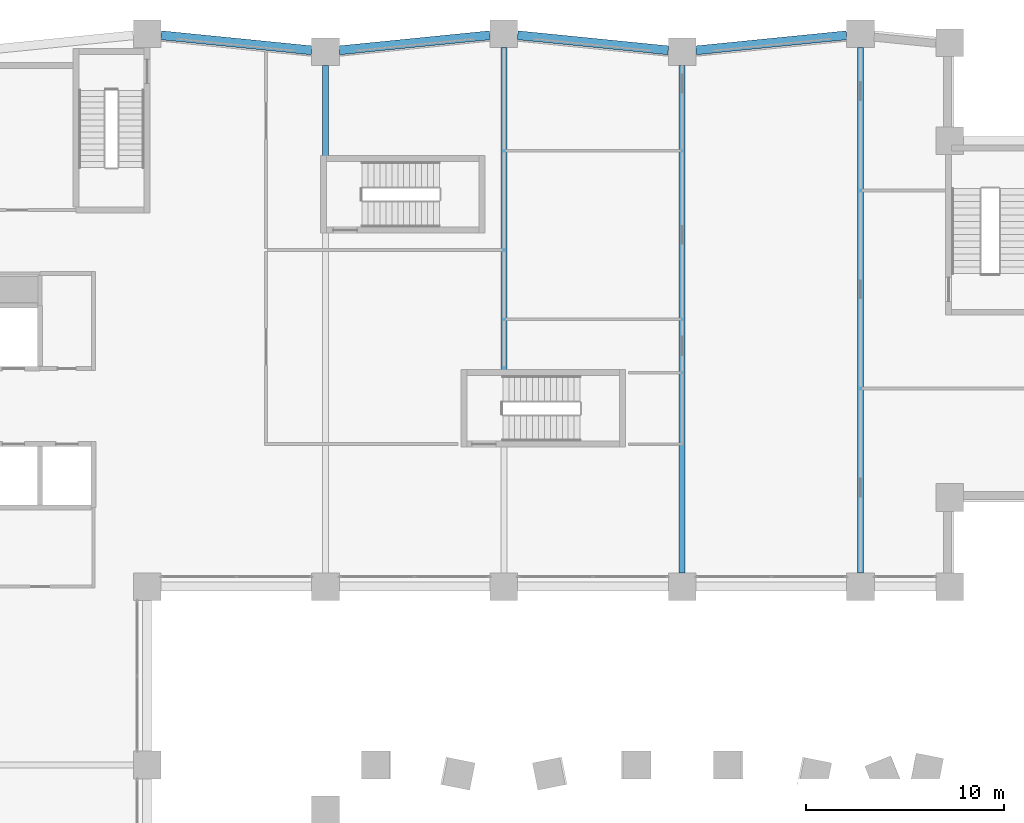
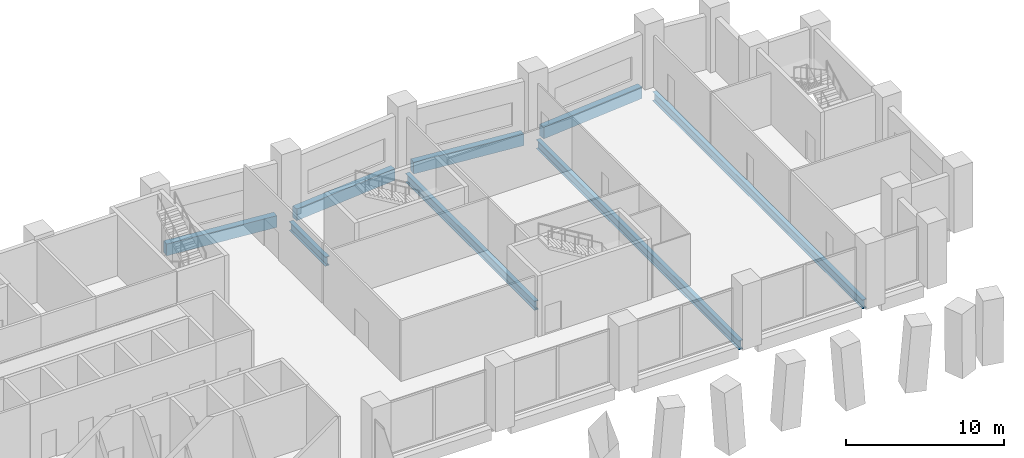
# One storey, part 7 of 17: 8 beams.
"""IFC4 building model written with IfcOpenShell, lengths in metres."""

from ifc_helpers import new_model, si_unit, direction, frame, origin, origin_2d, place, context, subcontext, project, spatial, rectangle, i_section, extrude, material, material_profile, profile_set, type_object, element, save


model = new_model("IFC4")

# Units and contexts
model_context = context("Model", 3, precision=1e-05, world=origin(), true_north=direction((0.0, 1.0)))
body_context = subcontext(model_context, "Body", "Model", "MODEL_VIEW")
ifc_project = project(units=[si_unit("LENGTHUNIT", "METRE"), si_unit("AREAUNIT", "SQUARE_METRE"), si_unit("VOLUMEUNIT", "CUBIC_METRE"), si_unit("PLANEANGLEUNIT", "RADIAN"), si_unit("MASSUNIT", "GRAM", prefix="KILO")], contexts=[model_context])

# Site, building, storey
site_placement = place(None, origin())
site = spatial("IfcSite", under=ifc_project, at=site_placement, CompositionType="ELEMENT")
building_placement = place(site_placement, origin())
building = spatial("IfcBuilding", under=site, at=building_placement, Name="Brondeck Convention Tower", CompositionType="ELEMENT")
storey_placement = place(building_placement, frame((0.0, 0.0, 14.5)))
storey = spatial("IfcBuildingStorey", under=building, at=storey_placement, Name="L02", CompositionType="ELEMENT", Elevation=14.5)

# Beams
ifc_material_1 = material(Name="Concrete C80/95", Category="concrete")
ifc_material_profile_1 = material_profile(ifc_material_1, rectangle(XDim=0.449951171875, YDim=0.89990234375, at=origin_2d()), Name="Edge beam 450x900 Concrete C80/95")
ifc_profile_set_1 = profile_set([ifc_material_profile_1], Name="Concrete C80/95")
beam_type_1 = type_object("IfcBeamType", Name="Edge beam 450x900 Concrete C80/95", PredefinedType="BEAM", material=ifc_profile_set_1)
for number, where, z_axis, x_axis, name in (
    (1, (62.300048828125, 63.830078125, -0.449951171875), (-0.99503719021, -0.099503719021, 0.0), (0.099503719021, -0.99503719021, 0.0), "STR-SP-L02-021"),
    (2, (53.300048828125, 63.070068359375, -0.449951171875), (-0.99503719021, 0.099503719021, 0.0), (-0.099503719021, -0.99503719021, 0.0), "STR-SP-L02-022"),
    (3, (44.300048828125, 63.830078125, -0.449951171875), (-0.99503719021, -0.099503719021, 0.0), (0.099503719021, -0.99503719021, 0.0), "STR-SP-L02-023"),
    (4, (35.300048828125, 63.070068359375, -0.449951171875), (-0.99503719021, 0.099503719021, 0.0), (-0.099503719021, -0.99503719021, 0.0), "STR-SP-L02-024"),
):
    element("IfcBeam", number, at=place(storey_placement, frame(where, z_axis=z_axis, x_axis=x_axis)), inside=storey, type_object=beam_type_1, Name=name, PredefinedType="BEAM", context=body_context, shape_type="SweptSolid", body=[
        extrude(rectangle(XDim=0.449951171875, YDim=0.89990234375, at=origin_2d()), origin(), (0.0, 0.0, 1.0), 7.637939453125),
    ])
ifc_material_2 = material(Name="Steel S355", Category="steel")
ifc_material_profile_2 = material_profile(ifc_material_2, i_section(OverallWidth=0.300048828125, OverallDepth=0.699951171875, WebThickness=0.01708984375, FlangeThickness=0.031982421875, FilletRadius=0.027099609375, at=origin_2d()), Name="HEB 700")
ifc_profile_set_2 = profile_set([ifc_material_profile_2], Name="Steel S355")
beam_type_2 = type_object("IfcBeamType", Name="Girder HEB 700", PredefinedType="BEAM", material=ifc_profile_set_2)
beam_1_placement = place(storey_placement, frame((36.0, 57.719970703125, -0.64990234375), z_axis=(0.0, 1.0, 0.0), x_axis=(-1.0, 0.0, 0.0)))
element("IfcBeam", 5, at=beam_1_placement, inside=storey, type_object=beam_type_2, Name="STR-GR-L02-002", PredefinedType="BEAM", context=body_context, shape_type="SweptSolid", body=[
    extrude(i_section(OverallWidth=0.300048828125, OverallDepth=0.699951171875, WebThickness=0.01708984375, FlangeThickness=0.031982421875, FilletRadius=0.027099609375, at=origin_2d()), origin(), (0.0, 0.0, 1.0), 4.580078125),
])
beam_2_placement = place(storey_placement, frame((45.0, 46.919921875, -0.64990234375), z_axis=(0.0, 1.0, 0.0), x_axis=(-1.0, 0.0, 0.0)))
element("IfcBeam", 6, at=beam_2_placement, inside=storey, type_object=beam_type_2, Name="STR-GR-L02-004", PredefinedType="BEAM", context=body_context, shape_type="SweptSolid", body=[
    extrude(i_section(OverallWidth=0.300048828125, OverallDepth=0.699951171875, WebThickness=0.01708984375, FlangeThickness=0.031982421875, FilletRadius=0.027099609375, at=origin_2d()), origin(), (0.0, 0.0, 1.0), 16.280029296875),
])
beam_3_placement = place(storey_placement, frame((54.0, 36.699951171875, -0.64990234375), z_axis=(0.0, 1.0, 0.0), x_axis=(-1.0, 0.0, 0.0)))
element("IfcBeam", 7, at=beam_3_placement, inside=storey, type_object=beam_type_2, Name="STR-GR-L02-005", PredefinedType="BEAM", context=body_context, shape_type="SweptSolid", body=[
    extrude(i_section(OverallWidth=0.300048828125, OverallDepth=0.699951171875, WebThickness=0.01708984375, FlangeThickness=0.031982421875, FilletRadius=0.027099609375, at=origin_2d()), origin(), (0.0, 0.0, 1.0), 25.60009765625),
])
beam_4_placement = place(storey_placement, frame((63.0, 36.699951171875, -0.64990234375), z_axis=(0.0, 1.0, 0.0), x_axis=(-1.0, 0.0, 0.0)))
element("IfcBeam", 8, at=beam_4_placement, inside=storey, type_object=beam_type_2, Name="STR-GR-L02-006", PredefinedType="BEAM", context=body_context, shape_type="SweptSolid", body=[
    extrude(i_section(OverallWidth=0.300048828125, OverallDepth=0.699951171875, WebThickness=0.01708984375, FlangeThickness=0.031982421875, FilletRadius=0.027099609375, at=origin_2d()), origin(), (0.0, 0.0, 1.0), 26.5),
])

save(model, "model.ifc")
